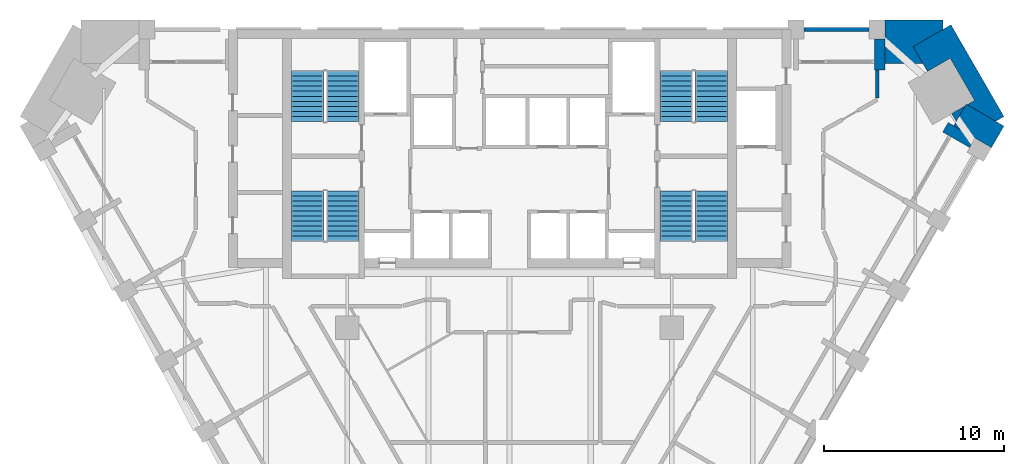
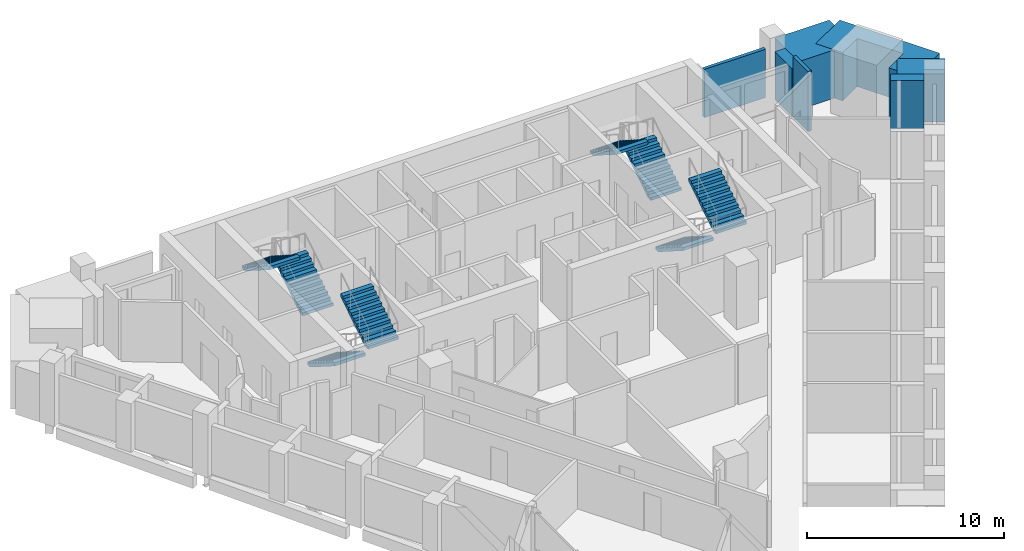
# One storey, part 8 of 9: 8 stair flights, 8 walls, 4 elements without a shape of their own.
"""IFC4 building model written with IfcOpenShell, lengths in metres."""

from ifc_helpers import new_model, si_unit, direction, frame, frame_2d, origin, place, context, subcontext, project, spatial, polyline, rectangle, outline, extrude, faceted_brep, source, transform, mapped, material, layer, layer_set, type_object, element, aggregate, save


model = new_model("IFC4")

# Units and contexts
model_context = context("Model", 3, precision=1e-05, world=origin(), true_north=direction((0.0, 1.0)))
body_context = subcontext(model_context, "Body", "Model", "MODEL_VIEW")
ifc_project = project(units=[si_unit("LENGTHUNIT", "METRE"), si_unit("AREAUNIT", "SQUARE_METRE"), si_unit("VOLUMEUNIT", "CUBIC_METRE"), si_unit("PLANEANGLEUNIT", "RADIAN"), si_unit("MASSUNIT", "GRAM", prefix="KILO")], contexts=[model_context])

# Site, building, storey
site_placement = place(None, origin())
site = spatial("IfcSite", under=ifc_project, at=site_placement, CompositionType="ELEMENT")
building_placement = place(site_placement, origin())
building = spatial("IfcBuilding", under=site, at=building_placement, Name="Calabash Gate Tower", CompositionType="ELEMENT")
storey_placement = place(building_placement, frame((0.0, 0.0, 156.300048828125)))
storey = spatial("IfcBuildingStorey", under=building, at=storey_placement, Name="L36", CompositionType="ELEMENT", Elevation=156.300048828125)

# Walls
ifc_material_1 = material(Name="Terracotta brick masonry, exposed face", Category="masonry")
ifc_layer_1 = layer(ifc_material_1, 2.425048828125)
ifc_layer_set_1 = layer_set([ifc_layer_1], Name="Brick corner mass wall 2425")
wall_type_1 = type_object("IfcWallType", Name="Brick corner mass wall 2425", PredefinedType="SOLIDWALL", material=ifc_layer_set_1)
wall_1_placement = place(storey_placement, frame((27.079833984375, 13.097900390625, 0.0), z_axis=(0.0, 0.0, 1.0), x_axis=(-0.866041403502, 0.499972286653, 0.0)))
element("IfcWall", 1, at=wall_1_placement, inside=storey, type_object=wall_type_1, Name="Brick corner pier S10 3a", PredefinedType="SOLIDWALL", context=body_context, shape_type="SweptSolid", body=[
    extrude(rectangle(XDim=2.425048828125, YDim=1.383544921875, at=frame_2d((1.21240234375, 0.0))), origin(), (0.0, 0.0, 1.0), 3.0),
])
wall_2_placement = place(storey_placement, origin())
element("IfcWall", 2, at=wall_2_placement, inside=storey, type_object=wall_type_1, Name="Brick corner pier S10 3ba", PredefinedType="SOLIDWALL", context=body_context, shape_type="SweptSolid", body=[
    extrude(outline(polyline([(24.5302734375, 14.38671875), (24.777099609375, 13.95947265625), (25.2705078125, 14.814208984375), (24.5302734375, 14.38671875)])), origin(), (0.0, 0.0, 1.0), 3.0),
])
wall_3_placement = place(storey_placement, origin())
element("IfcWall", 3, at=wall_3_placement, inside=storey, type_object=wall_type_1, Name="Brick corner pier S10 3bb", PredefinedType="SOLIDWALL", context=body_context, shape_type="SweptSolid", body=[
    extrude(outline(polyline([(23.180419921875, 16.72509765625), (24.443115234375, 17.4541015625), (25.793212890625, 15.115966796875), (25.380615234375, 14.877685546875), (26.970947265625, 13.95947265625), (27.42578125, 14.221923828125), (24.485107421875, 19.31494140625), (22.385009765625, 18.1025390625), (23.180419921875, 16.72509765625)])), origin(), (0.0, 0.0, 1.0), 3.0),
])
wall_4_placement = place(storey_placement, origin())
element("IfcWall", 4, at=wall_4_placement, inside=storey, type_object=wall_type_1, Name="Brick corner pier S10 3c", PredefinedType="SOLIDWALL", context=body_context, shape_type="SweptSolid", body=[
    extrude(outline(polyline([(20.83740234375, 19.57763671875), (20.83740234375, 17.152587890625), (22.93359375, 17.152587890625), (22.385009765625, 18.1025390625), (24.030517578125, 19.052490234375), (24.030517578125, 19.57763671875), (20.83740234375, 19.57763671875)])), origin(), (0.0, 0.0, 1.0), 3.0),
])
ifc_material_2 = material(Name="Terracotta brick masonry, exposed face", Category="masonry")
ifc_layer_2 = layer(ifc_material_2, 0.300048828125)
ifc_layer_set_2 = layer_set([ifc_layer_2], Name="Brick loggia cheek wall 300")
wall_type_2 = type_object("IfcWallType", Name="Brick loggia cheek wall 300", PredefinedType="SOLIDWALL", material=ifc_layer_set_2)
wall_5_placement = place(storey_placement, frame((25.67431640625, 12.76416015625, 0.0), z_axis=(0.0, 0.0, 1.0), x_axis=(-0.866039436866, 0.499975693202, 0.0)))
element("IfcWall", 5, at=wall_5_placement, inside=storey, type_object=wall_type_2, Name="Loggia cheek S10 SE4.8", PredefinedType="SOLIDWALL", context=body_context, shape_type="SweptSolid", body=[
    extrude(rectangle(XDim=1.724609375, YDim=0.60009765625, at=frame_2d((0.8623046875, 0.0))), origin(), (0.0, 0.0, 1.0), 3.0),
])
wall_6_placement = place(storey_placement, origin())
element("IfcWall", 6, at=wall_6_placement, inside=storey, type_object=wall_type_2, Name="Loggia cheek S10 N6.0", PredefinedType="SOLIDWALL", context=body_context, shape_type="SweptSolid", body=[
    extrude(outline(polyline([(20.83740234375, 16.802490234375), (20.83740234375, 18.527587890625), (20.237548828125, 18.527587890625), (20.237548828125, 16.802490234375), (20.83740234375, 16.802490234375)])), origin(), (0.0, 0.0, 1.0), 3.0),
])
ifc_material_3 = material(Name="Gypsum board on steel studs, mineral wool", Category="steel")
ifc_layer_3 = layer(ifc_material_3, 0.199951171875)
ifc_layer_set_3 = layer_set([ifc_layer_3], Name="Partition 200 gypsum board EI 60")
wall_type_3 = type_object("IfcWallType", Name="Partition 200 gypsum board EI 60", PredefinedType="PARTITIONING", material=ifc_layer_set_3)
wall_7_placement = place(storey_placement, frame((20.3876953125, 15.252197265625, 0.0), z_axis=(0.0, 0.0, 1.0), x_axis=(0.000157480313, 0.9999999876, 0.0)))
element("IfcWall", 7, at=wall_7_placement, inside=storey, type_object=wall_type_3, Name="Partition", PredefinedType="PARTITIONING", context=body_context, shape_type="SweptSolid", body=[
    extrude(rectangle(XDim=1.55029296875, YDim=0.199951171875, at=frame_2d((0.775146484375, 0.0))), origin(), (0.0, 0.0, 1.0), 3.72998046875),
])
ifc_material_4 = material(Name="Terracotta brick masonry, perforated", Category="masonry")
ifc_layer_4 = layer(ifc_material_4, 0.199951171875)
ifc_layer_set_4 = layer_set([ifc_layer_4], Name="Terracotta jaali screen B")
wall_type_4 = type_object("IfcWallType", Name="Terracotta jaali screen B", PredefinedType="SOLIDWALL", material=ifc_layer_set_4)
wall_8_placement = place(storey_placement, frame((19.9375, 19.052490234375, 0.0), z_axis=(0.0, 0.0, 1.0), x_axis=(-1.0, 0.0, 0.0)))
element("IfcWall", 8, at=wall_8_placement, inside=storey, type_object=wall_type_4, Name="SCREEN B S10 N6.1", PredefinedType="SOLIDWALL", context=body_context, shape_type="SweptSolid", body=[
    extrude(rectangle(XDim=3.60009765625, YDim=0.199951171875, at=frame_2d((1.800048828125, 0.0))), origin(), (0.0, 0.0, 1.0), 3.0),
])

# Stair, stair flights
ifc_material_5 = material(Name="Concrete C40/50", Category="concrete")
stair_type = type_object("IfcStairType", Name="Exit stair 22 risers of 177.3 mm", PredefinedType="HALF_TURN_STAIR", material=ifc_material_5)
stair_1_placement = place(storey_placement, origin())
stair_1 = element("IfcStair", 9, at=stair_1_placement, inside=storey, type_object=stair_type, Name="L36 Exit stair ST1", PredefinedType="HALF_TURN_STAIR")
ifc_material_6 = material(Name="Concrete C40/50", Category="concrete")
stair_flight_type = type_object("IfcStairFlightType", Name="Exit stair flight SFL", PredefinedType="STRAIGHT", material=ifc_material_6)
shared_shape = source(origin(), body_context, "Body", "Brep", [
    faceted_brep([(-0.0009765625, -0.89990234375, 0.0), (0.279541015625, -0.89990234375, 0.0), (2.791015625, -0.89990234375, 1.59521484375), (-0.0009765625, 0.89990234375, 0.0), (2.791015625, 0.89990234375, 1.59521484375), (0.279541015625, 0.89990234375, 0.0), (2.791015625, -0.89990234375, 1.78466796875), (2.7900390625, -0.89990234375, 1.78466796875), (2.7900390625, 0.89990234375, 1.78466796875), (2.791015625, 0.89990234375, 1.78466796875), (2.7900390625, -0.89990234375, 1.772705078125), (2.7900390625, 0.89990234375, 1.772705078125), (2.510986328125, -0.89990234375, 1.772705078125), (2.510986328125, 0.89990234375, 1.772705078125), (2.510986328125, -0.89990234375, 1.595458984375), (2.510986328125, 0.89990234375, 1.595458984375), (2.23193359375, -0.89990234375, 1.595458984375), (2.23193359375, 0.89990234375, 1.595458984375), (2.23193359375, -0.89990234375, 1.418212890625), (2.23193359375, 0.89990234375, 1.418212890625), (1.952880859375, -0.89990234375, 1.418212890625), (1.952880859375, -0.89990234375, 1.240966796875), (1.952880859375, 0.89990234375, 1.240966796875), (1.952880859375, 0.89990234375, 1.418212890625), (1.674072265625, -0.89990234375, 1.240966796875), (1.674072265625, -0.89990234375, 1.063720703125), (1.674072265625, 0.89990234375, 1.063720703125), (1.674072265625, 0.89990234375, 1.240966796875), (1.39501953125, -0.89990234375, 1.063720703125), (1.39501953125, -0.89990234375, 0.886474609375), (1.39501953125, 0.89990234375, 0.886474609375), (1.39501953125, 0.89990234375, 1.063720703125), (1.115966796875, -0.89990234375, 0.886474609375), (1.115966796875, -0.89990234375, 0.708984375), (1.115966796875, 0.89990234375, 0.708984375), (1.115966796875, 0.89990234375, 0.886474609375), (0.8369140625, -0.89990234375, 0.708984375), (0.8369140625, -0.89990234375, 0.53173828125), (0.8369140625, 0.89990234375, 0.53173828125), (0.8369140625, 0.89990234375, 0.708984375), (0.55810546875, -0.89990234375, 0.53173828125), (0.55810546875, -0.89990234375, 0.3544921875), (0.55810546875, 0.89990234375, 0.3544921875), (0.55810546875, 0.89990234375, 0.53173828125), (0.279052734375, -0.89990234375, 0.3544921875), (0.279052734375, -0.89990234375, 0.17724609375), (0.279052734375, 0.89990234375, 0.17724609375), (0.279052734375, 0.89990234375, 0.3544921875), (-0.0009765625, -0.89990234375, 0.17724609375), (-0.0009765625, 0.89990234375, 0.17724609375), (0.279541015625, -0.360107421875, 0.0), (2.791015625, -0.360107421875, 1.59521484375), (0.279541015625, 0.0, 0.0), (2.791015625, 0.0, 1.59521484375), (0.279541015625, 0.360107421875, 0.0), (2.791015625, 0.360107421875, 1.59521484375), (2.791015625, -0.360107421875, 1.78466796875), (2.791015625, 0.0, 1.78466796875), (2.791015625, 0.360107421875, 1.78466796875), (2.7900390625, -0.360107421875, 1.78466796875), (2.7900390625, 0.0, 1.78466796875), (2.7900390625, 0.360107421875, 1.78466796875), (2.7900390625, -0.360107421875, 1.772705078125), (2.7900390625, 0.0, 1.772705078125), (2.7900390625, 0.360107421875, 1.772705078125), (2.510986328125, -0.360107421875, 1.772705078125), (2.510986328125, 0.0, 1.772705078125), (2.510986328125, 0.360107421875, 1.772705078125), (2.510986328125, -0.360107421875, 1.595458984375), (2.510986328125, 0.0, 1.595458984375), (2.510986328125, 0.360107421875, 1.595458984375), (2.23193359375, -0.360107421875, 1.595458984375), (2.23193359375, 0.0, 1.595458984375), (2.23193359375, 0.360107421875, 1.595458984375), (2.23193359375, -0.360107421875, 1.418212890625), (2.23193359375, 0.0, 1.418212890625), (2.23193359375, 0.360107421875, 1.418212890625), (1.952880859375, -0.360107421875, 1.418212890625), (1.952880859375, 0.0, 1.418212890625), (1.952880859375, 0.360107421875, 1.418212890625), (1.952880859375, -0.360107421875, 1.240966796875), (1.952880859375, 0.0, 1.240966796875), (1.952880859375, 0.360107421875, 1.240966796875), (1.674072265625, -0.360107421875, 1.240966796875), (1.674072265625, 0.0, 1.240966796875), (1.674072265625, 0.360107421875, 1.240966796875), (1.674072265625, -0.360107421875, 1.063720703125), (1.674072265625, 0.0, 1.063720703125), (1.674072265625, 0.360107421875, 1.063720703125), (1.39501953125, -0.360107421875, 1.063720703125), (1.39501953125, 0.0, 1.063720703125), (1.39501953125, 0.360107421875, 1.063720703125), (1.39501953125, -0.360107421875, 0.886474609375), (1.39501953125, 0.0, 0.886474609375), (1.39501953125, 0.360107421875, 0.886474609375), (1.115966796875, -0.360107421875, 0.886474609375), (1.115966796875, 0.0, 0.886474609375), (1.115966796875, 0.360107421875, 0.886474609375), (1.115966796875, -0.360107421875, 0.708984375), (1.115966796875, 0.0, 0.708984375), (1.115966796875, 0.360107421875, 0.708984375), (0.8369140625, -0.360107421875, 0.708984375), (0.8369140625, 0.0, 0.708984375), (0.8369140625, 0.360107421875, 0.708984375), (0.8369140625, -0.360107421875, 0.53173828125), (0.8369140625, 0.0, 0.53173828125), (0.8369140625, 0.360107421875, 0.53173828125), (0.55810546875, -0.360107421875, 0.53173828125), (0.55810546875, 0.0, 0.53173828125), (0.55810546875, 0.360107421875, 0.53173828125), (0.55810546875, -0.360107421875, 0.3544921875), (0.55810546875, 0.0, 0.3544921875), (0.55810546875, 0.360107421875, 0.3544921875), (0.279052734375, -0.360107421875, 0.3544921875), (0.279052734375, 0.0, 0.3544921875), (0.279052734375, 0.360107421875, 0.3544921875), (0.279052734375, -0.360107421875, 0.17724609375), (0.279052734375, 0.0, 0.17724609375), (0.279052734375, 0.360107421875, 0.17724609375), (-0.0009765625, -0.360107421875, 0.17724609375), (-0.0009765625, 0.0, 0.17724609375), (-0.0009765625, 0.360107421875, 0.17724609375), (-0.0009765625, -0.360107421875, 0.0), (-0.0009765625, 0.0, 0.0), (-0.0009765625, 0.360107421875, 0.0)], [[[0, 1, 2]], [[3, 4, 5]], [[2, 6, 7]], [[4, 8, 9]], [[2, 7, 10]], [[4, 11, 8]], [[2, 10, 12]], [[4, 13, 11]], [[2, 12, 14]], [[4, 15, 13]], [[2, 14, 16]], [[4, 17, 15]], [[2, 16, 18]], [[4, 19, 17]], [[18, 20, 21]], [[19, 22, 23]], [[2, 18, 21]], [[4, 22, 19]], [[21, 24, 25]], [[22, 26, 27]], [[2, 21, 25]], [[4, 26, 22]], [[25, 28, 29]], [[26, 30, 31]], [[2, 25, 29]], [[4, 30, 26]], [[29, 32, 33]], [[30, 34, 35]], [[2, 29, 33]], [[4, 34, 30]], [[33, 36, 37]], [[34, 38, 39]], [[2, 33, 37]], [[4, 38, 34]], [[37, 40, 41]], [[38, 42, 43]], [[2, 37, 41]], [[4, 42, 38]], [[41, 44, 45]], [[42, 46, 47]], [[2, 41, 45]], [[4, 46, 42]], [[0, 2, 45]], [[3, 46, 4]], [[45, 48, 0]], [[46, 3, 49]], [[1, 50, 2]], [[50, 51, 2]], [[50, 52, 51]], [[52, 53, 51]], [[52, 54, 55]], [[52, 55, 53]], [[54, 5, 4]], [[54, 4, 55]], [[2, 51, 6]], [[51, 56, 6]], [[51, 53, 56]], [[53, 57, 56]], [[53, 55, 58]], [[53, 58, 57]], [[55, 4, 9]], [[55, 9, 58]], [[6, 56, 7]], [[56, 59, 7]], [[56, 57, 59]], [[57, 60, 59]], [[57, 58, 61]], [[57, 61, 60]], [[58, 9, 8]], [[58, 8, 61]], [[7, 59, 10]], [[59, 62, 10]], [[59, 60, 62]], [[60, 63, 62]], [[60, 61, 64]], [[60, 64, 63]], [[61, 8, 11]], [[61, 11, 64]], [[10, 62, 12]], [[62, 65, 12]], [[62, 63, 65]], [[63, 66, 65]], [[63, 64, 67]], [[63, 67, 66]], [[64, 11, 13]], [[64, 13, 67]], [[12, 65, 14]], [[65, 68, 14]], [[65, 66, 68]], [[66, 69, 68]], [[66, 67, 70]], [[66, 70, 69]], [[67, 13, 15]], [[67, 15, 70]], [[14, 68, 16]], [[68, 71, 16]], [[68, 69, 71]], [[69, 72, 71]], [[69, 70, 73]], [[69, 73, 72]], [[70, 15, 17]], [[70, 17, 73]], [[16, 71, 18]], [[71, 74, 18]], [[71, 72, 74]], [[72, 75, 74]], [[72, 73, 76]], [[72, 76, 75]], [[73, 17, 19]], [[73, 19, 76]], [[18, 74, 20]], [[74, 77, 20]], [[74, 75, 77]], [[75, 78, 77]], [[75, 76, 79]], [[75, 79, 78]], [[76, 19, 23]], [[76, 23, 79]], [[20, 77, 21]], [[77, 80, 21]], [[77, 78, 80]], [[78, 81, 80]], [[78, 79, 82]], [[78, 82, 81]], [[79, 23, 22]], [[79, 22, 82]], [[21, 80, 24]], [[80, 83, 24]], [[80, 81, 83]], [[81, 84, 83]], [[81, 82, 85]], [[81, 85, 84]], [[82, 22, 27]], [[82, 27, 85]], [[24, 83, 25]], [[83, 86, 25]], [[83, 84, 86]], [[84, 87, 86]], [[84, 85, 88]], [[84, 88, 87]], [[85, 27, 26]], [[85, 26, 88]], [[25, 86, 28]], [[86, 89, 28]], [[86, 87, 89]], [[87, 90, 89]], [[87, 88, 91]], [[87, 91, 90]], [[88, 26, 31]], [[88, 31, 91]], [[28, 89, 29]], [[89, 92, 29]], [[89, 90, 92]], [[90, 93, 92]], [[90, 91, 94]], [[90, 94, 93]], [[91, 31, 30]], [[91, 30, 94]], [[29, 92, 32]], [[92, 95, 32]], [[92, 93, 95]], [[93, 96, 95]], [[93, 94, 97]], [[93, 97, 96]], [[94, 30, 35]], [[94, 35, 97]], [[32, 95, 33]], [[95, 98, 33]], [[95, 96, 98]], [[96, 99, 98]], [[96, 97, 100]], [[96, 100, 99]], [[97, 35, 34]], [[97, 34, 100]], [[33, 98, 36]], [[98, 101, 36]], [[98, 99, 101]], [[99, 102, 101]], [[99, 100, 103]], [[99, 103, 102]], [[100, 34, 39]], [[100, 39, 103]], [[36, 101, 37]], [[101, 104, 37]], [[101, 102, 104]], [[102, 105, 104]], [[102, 103, 106]], [[102, 106, 105]], [[103, 39, 38]], [[103, 38, 106]], [[37, 104, 40]], [[104, 107, 40]], [[104, 105, 107]], [[105, 108, 107]], [[105, 106, 109]], [[105, 109, 108]], [[106, 38, 43]], [[106, 43, 109]], [[40, 107, 41]], [[107, 110, 41]], [[107, 108, 110]], [[108, 111, 110]], [[108, 109, 112]], [[108, 112, 111]], [[109, 43, 42]], [[109, 42, 112]], [[41, 110, 44]], [[110, 113, 44]], [[110, 111, 113]], [[111, 114, 113]], [[111, 112, 115]], [[111, 115, 114]], [[112, 42, 47]], [[112, 47, 115]], [[44, 113, 45]], [[113, 116, 45]], [[113, 114, 116]], [[114, 117, 116]], [[114, 115, 118]], [[114, 118, 117]], [[115, 47, 46]], [[115, 46, 118]], [[45, 116, 48]], [[116, 119, 48]], [[116, 117, 119]], [[117, 120, 119]], [[117, 118, 121]], [[117, 121, 120]], [[118, 46, 49]], [[118, 49, 121]], [[48, 119, 0]], [[119, 122, 0]], [[119, 120, 122]], [[120, 123, 122]], [[120, 121, 124]], [[120, 124, 123]], [[121, 49, 3]], [[121, 3, 124]], [[0, 122, 1]], [[122, 50, 1]], [[122, 123, 50]], [[123, 52, 50]], [[123, 124, 54]], [[123, 54, 52]], [[124, 3, 5]], [[124, 5, 54]]]),
])
stair_flight_1_placement = place(storey_placement, frame((-9.25, 13.95263671875, 0.0), z_axis=(0.0, 0.0, 1.0), x_axis=(0.0, 1.0, 0.0)))
stair_flight_1 = element("IfcStairFlight", 10, at=stair_flight_1_placement, type_object=stair_flight_type, Name="ST1 flight 1", NumberOfRisers=11, NumberOfTreads=10, PredefinedType="STRAIGHT", RiserHeight=0.177272727, TreadLength=0.279, context=body_context, shape_type="MappedRepresentation", body=[
    mapped(shared_shape, transform((0.0, 0.0, 0.0), scale=1.0)),
])
stair_flight_2_placement = place(storey_placement, frame((-11.199951171875, 16.74267578125, 1.949951171875), z_axis=(0.0, 0.0, 1.0), x_axis=(0.0, -1.0, 0.0)))
stair_flight_2 = element("IfcStairFlight", 11, at=stair_flight_2_placement, type_object=stair_flight_type, Name="ST1 flight 2", NumberOfRisers=11, NumberOfTreads=10, PredefinedType="STRAIGHT", RiserHeight=0.177272727, TreadLength=0.279, context=body_context, shape_type="MappedRepresentation", body=[
    mapped(shared_shape, transform((0.0, 0.0, 0.0), scale=1.0)),
])
aggregate(stair_1, [stair_flight_1, stair_flight_2])

stair_2_placement = place(storey_placement, origin())
stair_2 = element("IfcStair", 12, at=stair_2_placement, inside=storey, type_object=stair_type, Name="L36 Exit stair ST2", PredefinedType="HALF_TURN_STAIR")
stair_flight_3_placement = place(storey_placement, frame((-11.199951171875, 10.1025390625, 0.0), z_axis=(0.0, 0.0, 1.0), x_axis=(0.0, -1.0, 0.0)))
stair_flight_3 = element("IfcStairFlight", 13, at=stair_flight_3_placement, type_object=stair_flight_type, Name="ST2 flight 1", NumberOfRisers=11, NumberOfTreads=10, PredefinedType="STRAIGHT", RiserHeight=0.177272727, TreadLength=0.279, context=body_context, shape_type="MappedRepresentation", body=[
    mapped(shared_shape, transform((0.0, 0.0, 0.0), scale=1.0)),
])
stair_flight_4_placement = place(storey_placement, frame((-9.25, 7.3125, 1.949951171875), z_axis=(0.0, 0.0, 1.0), x_axis=(0.0, 1.0, 0.0)))
stair_flight_4 = element("IfcStairFlight", 14, at=stair_flight_4_placement, type_object=stair_flight_type, Name="ST2 flight 2", NumberOfRisers=11, NumberOfTreads=10, PredefinedType="STRAIGHT", RiserHeight=0.177272727, TreadLength=0.279, context=body_context, shape_type="MappedRepresentation", body=[
    mapped(shared_shape, transform((0.0, 0.0, 0.0), scale=1.0)),
])
aggregate(stair_2, [stair_flight_3, stair_flight_4])

stair_3_placement = place(storey_placement, origin())
stair_3 = element("IfcStair", 15, at=stair_3_placement, inside=storey, type_object=stair_type, Name="L36 Exit stair ST3", PredefinedType="HALF_TURN_STAIR")
stair_flight_5_placement = place(storey_placement, frame((11.199951171875, 13.95263671875, 0.0), z_axis=(0.0, 0.0, 1.0), x_axis=(0.0, 1.0, 0.0)))
stair_flight_5 = element("IfcStairFlight", 16, at=stair_flight_5_placement, type_object=stair_flight_type, Name="ST3 flight 1", NumberOfRisers=11, NumberOfTreads=10, PredefinedType="STRAIGHT", RiserHeight=0.177272727, TreadLength=0.279, context=body_context, shape_type="MappedRepresentation", body=[
    mapped(shared_shape, transform((0.0, 0.0, 0.0), scale=1.0)),
])
stair_flight_6_placement = place(storey_placement, frame((9.25, 16.74267578125, 1.949951171875), z_axis=(0.0, 0.0, 1.0), x_axis=(0.0, -1.0, 0.0)))
stair_flight_6 = element("IfcStairFlight", 17, at=stair_flight_6_placement, type_object=stair_flight_type, Name="ST3 flight 2", NumberOfRisers=11, NumberOfTreads=10, PredefinedType="STRAIGHT", RiserHeight=0.177272727, TreadLength=0.279, context=body_context, shape_type="MappedRepresentation", body=[
    mapped(shared_shape, transform((0.0, 0.0, 0.0), scale=1.0)),
])
aggregate(stair_3, [stair_flight_5, stair_flight_6])

stair_4_placement = place(storey_placement, origin())
stair_4 = element("IfcStair", 18, at=stair_4_placement, inside=storey, type_object=stair_type, Name="L36 Exit stair ST4", PredefinedType="HALF_TURN_STAIR")
stair_flight_7_placement = place(storey_placement, frame((9.25, 10.1025390625, 0.0), z_axis=(0.0, 0.0, 1.0), x_axis=(0.0, -1.0, 0.0)))
stair_flight_7 = element("IfcStairFlight", 19, at=stair_flight_7_placement, type_object=stair_flight_type, Name="ST4 flight 1", NumberOfRisers=11, NumberOfTreads=10, PredefinedType="STRAIGHT", RiserHeight=0.177272727, TreadLength=0.279, context=body_context, shape_type="MappedRepresentation", body=[
    mapped(shared_shape, transform((0.0, 0.0, 0.0), scale=1.0)),
])
stair_flight_8_placement = place(storey_placement, frame((11.199951171875, 7.3125, 1.949951171875), z_axis=(0.0, 0.0, 1.0), x_axis=(0.0, 1.0, 0.0)))
stair_flight_8 = element("IfcStairFlight", 20, at=stair_flight_8_placement, type_object=stair_flight_type, Name="ST4 flight 2", NumberOfRisers=11, NumberOfTreads=10, PredefinedType="STRAIGHT", RiserHeight=0.177272727, TreadLength=0.279, context=body_context, shape_type="MappedRepresentation", body=[
    mapped(shared_shape, transform((0.0, 0.0, 0.0), scale=1.0)),
])
aggregate(stair_4, [stair_flight_7, stair_flight_8])

save(model, "model.ifc")
